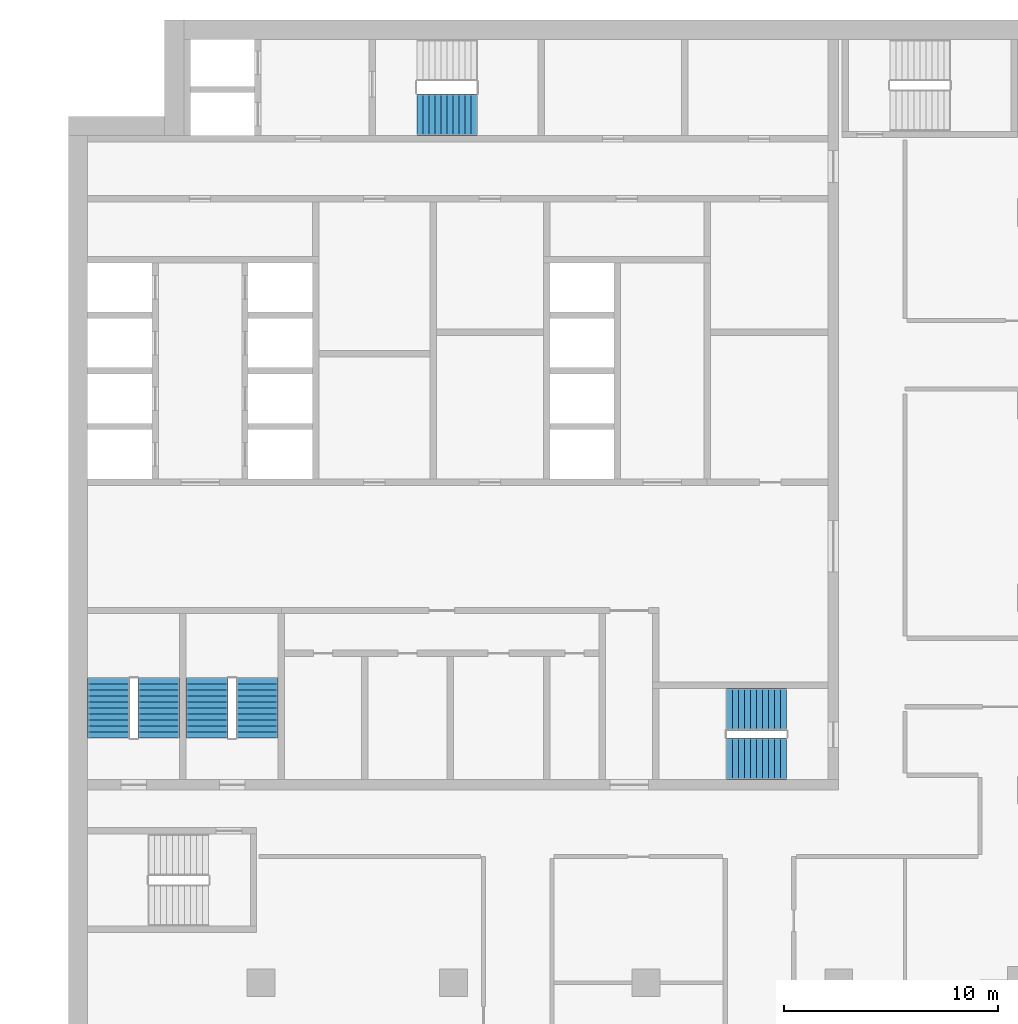
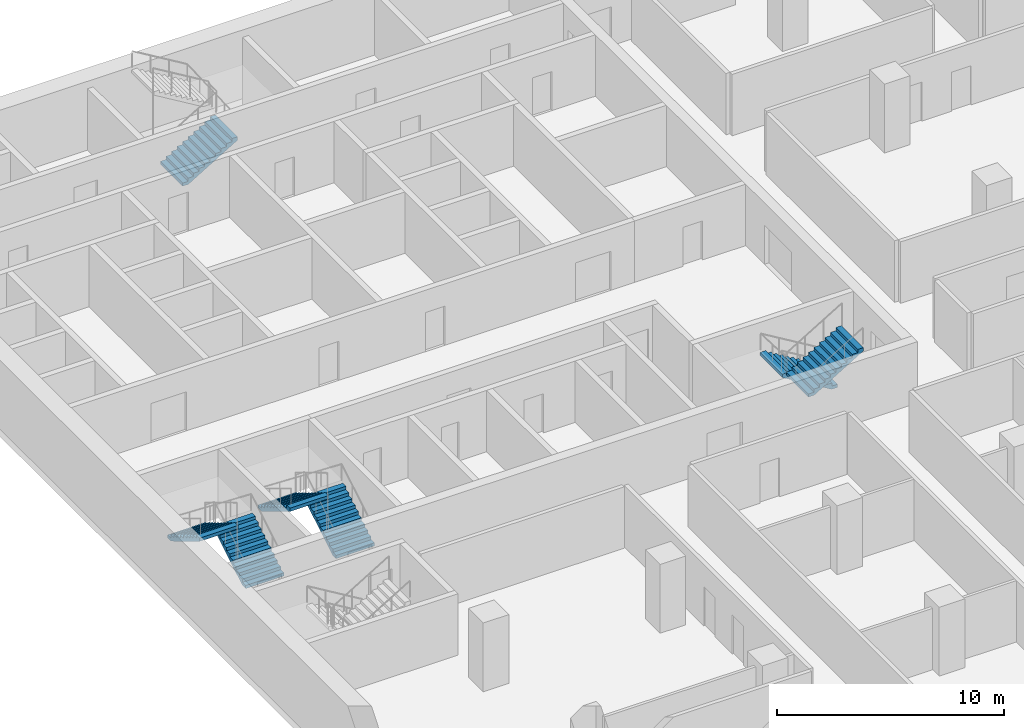
# One storey, part 16 of 22: 7 stair flights, 4 elements without a shape of their own.
"""IFC4 building model written with IfcOpenShell, lengths in metres."""

from ifc_helpers import new_model, si_unit, direction, frame, origin, place, context, subcontext, project, spatial, polyline, outline, extrude, material, type_object, element, aggregate, save


model = new_model("IFC4")

# Units and contexts
model_context = context("Model", 3, precision=1e-05, world=origin(), true_north=direction((0.0, 1.0)))
body_context = subcontext(model_context, "Body", "Model", "MODEL_VIEW")
ifc_project = project(units=[si_unit("LENGTHUNIT", "METRE"), si_unit("AREAUNIT", "SQUARE_METRE"), si_unit("VOLUMEUNIT", "CUBIC_METRE"), si_unit("PLANEANGLEUNIT", "RADIAN"), si_unit("MASSUNIT", "GRAM", prefix="KILO")], contexts=[model_context])

# Site, building, storey
site_placement = place(None, origin())
site = spatial("IfcSite", under=ifc_project, at=site_placement, CompositionType="ELEMENT")
building_placement = place(site_placement, origin())
building = spatial("IfcBuilding", under=site, at=building_placement, Name="Hunhe Ridgeline Campus", CompositionType="ELEMENT")
storey_placement = place(building_placement, frame((0.0, 0.0, 84.800048828125)))
storey = spatial("IfcBuildingStorey", under=building, at=storey_placement, Name="L20", CompositionType="ELEMENT", Elevation=84.800048828125)

# Stair, stair flight
ifc_material = material(Name="Concrete C40", Category="concrete")
stair_type = type_object("IfcStairType", Name="Reinforced concrete dog-leg stair 1950 Concrete C40", PredefinedType="HALF_TURN_STAIR", material=ifc_material)
stair_1_placement = place(storey_placement, origin())
stair_1 = element("IfcStair", 1, at=stair_1_placement, inside=storey, type_object=stair_type, Name="L20 S1", PredefinedType="HALF_TURN_STAIR")
stair_flight_type = type_object("IfcStairFlightType", Name="Reinforced concrete stair flight 1950 Concrete C40", PredefinedType="STRAIGHT", material=ifc_material)
stair_flight_1_placement = place(storey_placement, frame((16.300048828125, 94.574951171875, 0.0), z_axis=(0.0, 0.0, 1.0), x_axis=(1.0, 0.0, 0.0)))
stair_flight_1 = element("IfcStairFlight", 2, at=stair_flight_1_placement, type_object=stair_flight_type, Name="ST1 flight 1", NumberOfRisers=11, NumberOfTreads=10, PredefinedType="STRAIGHT", RiserHeight=0.168181818, TreadLength=0.28, context=body_context, shape_type="SweptSolid", body=[
    extrude(outline(polyline([(0.0, 0.0), (0.0, 0.168212890625), (0.280029296875, 0.168212890625), (0.280029296875, 0.33642578125), (0.56005859375, 0.33642578125), (0.56005859375, 0.504638671875), (0.840087890625, 0.504638671875), (0.840087890625, 0.672607421875), (1.1201171875, 0.672607421875), (1.1201171875, 0.8408203125), (1.39990234375, 0.8408203125), (1.39990234375, 1.009033203125), (1.679931640625, 1.009033203125), (1.679931640625, 1.17724609375), (1.9599609375, 1.17724609375), (1.9599609375, 1.345458984375), (2.239990234375, 1.345458984375), (2.239990234375, 1.513671875), (2.52001953125, 1.513671875), (2.52001953125, 1.681884765625), (2.800048828125, 1.681884765625), (2.800048828125, 1.85009765625), (2.800048828125, 1.5068359375), (0.291015625, 0.0), (0.0, 0.0)])), frame((0.0, 0.97509765625, 0.0), z_axis=(0.0, -1.0, 0.0), x_axis=(1.0, 0.0, 0.0)), (0.0, 0.0, 1.0), 1.949951171875),
    extrude(outline(polyline([(0.030029296875, 0.030029296875), (0.030029296875, 0.13818359375), (0.31005859375, 0.13818359375), (0.31005859375, 0.306396484375), (0.590087890625, 0.306396484375), (0.590087890625, 0.474609375), (0.8701171875, 0.474609375), (0.8701171875, 0.642578125), (1.14990234375, 0.642578125), (1.14990234375, 0.810791015625), (1.429931640625, 0.810791015625), (1.429931640625, 0.97900390625), (1.7099609375, 0.97900390625), (1.7099609375, 1.147216796875), (1.989990234375, 1.147216796875), (1.989990234375, 1.3154296875), (2.27001953125, 1.3154296875), (2.27001953125, 1.483642578125), (2.550048828125, 1.483642578125), (2.550048828125, 1.65185546875), (2.77001953125, 1.65185546875), (2.77001953125, 1.52392578125), (0.28271484375, 0.030029296875), (0.030029296875, 0.030029296875)])), frame((0.0, -0.070068359375, 0.0), z_axis=(0.0, -1.0, 0.0), x_axis=(1.0, 0.0, 0.0)), (0.0, 0.0, 1.0), 0.019775390625),
    extrude(outline(polyline([(0.030029296875, 0.030029296875), (0.030029296875, 0.13818359375), (0.31005859375, 0.13818359375), (0.31005859375, 0.306396484375), (0.590087890625, 0.306396484375), (0.590087890625, 0.474609375), (0.8701171875, 0.474609375), (0.8701171875, 0.642578125), (1.14990234375, 0.642578125), (1.14990234375, 0.810791015625), (1.429931640625, 0.810791015625), (1.429931640625, 0.97900390625), (1.7099609375, 0.97900390625), (1.7099609375, 1.147216796875), (1.989990234375, 1.147216796875), (1.989990234375, 1.3154296875), (2.27001953125, 1.3154296875), (2.27001953125, 1.483642578125), (2.550048828125, 1.483642578125), (2.550048828125, 1.65185546875), (2.77001953125, 1.65185546875), (2.77001953125, 1.52392578125), (0.28271484375, 0.030029296875), (0.030029296875, 0.030029296875)])), frame((0.0, 0.010009765625, 0.0), z_axis=(0.0, -1.0, 0.0), x_axis=(1.0, 0.0, 0.0)), (0.0, 0.0, 1.0), 0.019775390625),
    extrude(outline(polyline([(0.030029296875, 0.030029296875), (0.030029296875, 0.13818359375), (0.31005859375, 0.13818359375), (0.31005859375, 0.306396484375), (0.590087890625, 0.306396484375), (0.590087890625, 0.474609375), (0.8701171875, 0.474609375), (0.8701171875, 0.642578125), (1.14990234375, 0.642578125), (1.14990234375, 0.810791015625), (1.429931640625, 0.810791015625), (1.429931640625, 0.97900390625), (1.7099609375, 0.97900390625), (1.7099609375, 1.147216796875), (1.989990234375, 1.147216796875), (1.989990234375, 1.3154296875), (2.27001953125, 1.3154296875), (2.27001953125, 1.483642578125), (2.550048828125, 1.483642578125), (2.550048828125, 1.65185546875), (2.77001953125, 1.65185546875), (2.77001953125, 1.52392578125), (0.28271484375, 0.030029296875), (0.030029296875, 0.030029296875)])), frame((0.0, 0.090087890625, 0.0), z_axis=(0.0, -1.0, 0.0), x_axis=(1.0, 0.0, 0.0)), (0.0, 0.0, 1.0), 0.019775390625),
])
aggregate(stair_1, [stair_flight_1])

# Stair, stair flights
stair_2_placement = place(storey_placement, origin())
stair_2 = element("IfcStair", 3, at=stair_2_placement, inside=storey, type_object=stair_type, Name="L20 S2", PredefinedType="HALF_TURN_STAIR")
stair_flight_2_placement = place(storey_placement, frame((33.550048828125, 66.77490234375, 0.0), z_axis=(0.0, 0.0, 1.0), x_axis=(-1.0, 0.0, 0.0)))
stair_flight_2 = element("IfcStairFlight", 4, at=stair_flight_2_placement, type_object=stair_flight_type, Name="ST2 flight 1", NumberOfRisers=11, NumberOfTreads=10, PredefinedType="STRAIGHT", RiserHeight=0.168181818, TreadLength=0.28, context=body_context, shape_type="SweptSolid", body=[
    extrude(outline(polyline([(0.0, 0.0), (0.0, 0.168212890625), (0.280029296875, 0.168212890625), (0.280029296875, 0.33642578125), (0.56005859375, 0.33642578125), (0.56005859375, 0.504638671875), (0.840087890625, 0.504638671875), (0.840087890625, 0.672607421875), (1.1201171875, 0.672607421875), (1.1201171875, 0.8408203125), (1.39990234375, 0.8408203125), (1.39990234375, 1.009033203125), (1.679931640625, 1.009033203125), (1.679931640625, 1.17724609375), (1.9599609375, 1.17724609375), (1.9599609375, 1.345458984375), (2.239990234375, 1.345458984375), (2.239990234375, 1.513671875), (2.52001953125, 1.513671875), (2.52001953125, 1.681884765625), (2.800048828125, 1.681884765625), (2.800048828125, 1.85009765625), (2.800048828125, 1.5068359375), (0.291015625, 0.0), (0.0, 0.0)])), frame((0.0, 0.97509765625, 0.0), z_axis=(0.0, -1.0, 0.0), x_axis=(1.0, 0.0, 0.0)), (0.0, 0.0, 1.0), 1.949951171875),
    extrude(outline(polyline([(0.030029296875, 0.030029296875), (0.030029296875, 0.13818359375), (0.31005859375, 0.13818359375), (0.31005859375, 0.306396484375), (0.590087890625, 0.306396484375), (0.590087890625, 0.474609375), (0.8701171875, 0.474609375), (0.8701171875, 0.642578125), (1.14990234375, 0.642578125), (1.14990234375, 0.810791015625), (1.429931640625, 0.810791015625), (1.429931640625, 0.97900390625), (1.7099609375, 0.97900390625), (1.7099609375, 1.147216796875), (1.989990234375, 1.147216796875), (1.989990234375, 1.3154296875), (2.27001953125, 1.3154296875), (2.27001953125, 1.483642578125), (2.550048828125, 1.483642578125), (2.550048828125, 1.65185546875), (2.77001953125, 1.65185546875), (2.77001953125, 1.52392578125), (0.28271484375, 0.030029296875), (0.030029296875, 0.030029296875)])), frame((0.0, -0.070068359375, 0.0), z_axis=(0.0, -1.0, 0.0), x_axis=(1.0, 0.0, 0.0)), (0.0, 0.0, 1.0), 0.019775390625),
    extrude(outline(polyline([(0.030029296875, 0.030029296875), (0.030029296875, 0.13818359375), (0.31005859375, 0.13818359375), (0.31005859375, 0.306396484375), (0.590087890625, 0.306396484375), (0.590087890625, 0.474609375), (0.8701171875, 0.474609375), (0.8701171875, 0.642578125), (1.14990234375, 0.642578125), (1.14990234375, 0.810791015625), (1.429931640625, 0.810791015625), (1.429931640625, 0.97900390625), (1.7099609375, 0.97900390625), (1.7099609375, 1.147216796875), (1.989990234375, 1.147216796875), (1.989990234375, 1.3154296875), (2.27001953125, 1.3154296875), (2.27001953125, 1.483642578125), (2.550048828125, 1.483642578125), (2.550048828125, 1.65185546875), (2.77001953125, 1.65185546875), (2.77001953125, 1.52392578125), (0.28271484375, 0.030029296875), (0.030029296875, 0.030029296875)])), frame((0.0, 0.010009765625, 0.0), z_axis=(0.0, -1.0, 0.0), x_axis=(1.0, 0.0, 0.0)), (0.0, 0.0, 1.0), 0.019775390625),
    extrude(outline(polyline([(0.030029296875, 0.030029296875), (0.030029296875, 0.13818359375), (0.31005859375, 0.13818359375), (0.31005859375, 0.306396484375), (0.590087890625, 0.306396484375), (0.590087890625, 0.474609375), (0.8701171875, 0.474609375), (0.8701171875, 0.642578125), (1.14990234375, 0.642578125), (1.14990234375, 0.810791015625), (1.429931640625, 0.810791015625), (1.429931640625, 0.97900390625), (1.7099609375, 0.97900390625), (1.7099609375, 1.147216796875), (1.989990234375, 1.147216796875), (1.989990234375, 1.3154296875), (2.27001953125, 1.3154296875), (2.27001953125, 1.483642578125), (2.550048828125, 1.483642578125), (2.550048828125, 1.65185546875), (2.77001953125, 1.65185546875), (2.77001953125, 1.52392578125), (0.28271484375, 0.030029296875), (0.030029296875, 0.030029296875)])), frame((0.0, 0.090087890625, 0.0), z_axis=(0.0, -1.0, 0.0), x_axis=(1.0, 0.0, 0.0)), (0.0, 0.0, 1.0), 0.019775390625),
])
stair_flight_3_placement = place(storey_placement, frame((30.75, 64.47509765625, 1.849853515625), z_axis=(0.0, 0.0, 1.0), x_axis=(1.0, 0.0, 0.0)))
stair_flight_3 = element("IfcStairFlight", 5, at=stair_flight_3_placement, type_object=stair_flight_type, Name="ST2 flight 2", NumberOfRisers=11, NumberOfTreads=10, PredefinedType="STRAIGHT", RiserHeight=0.168181818, TreadLength=0.28, context=body_context, shape_type="SweptSolid", body=[
    extrude(outline(polyline([(0.0, 0.0), (0.0, 0.168212890625), (0.280029296875, 0.168212890625), (0.280029296875, 0.33642578125), (0.56005859375, 0.33642578125), (0.56005859375, 0.504638671875), (0.840087890625, 0.504638671875), (0.840087890625, 0.672607421875), (1.1201171875, 0.672607421875), (1.1201171875, 0.8408203125), (1.39990234375, 0.8408203125), (1.39990234375, 1.009033203125), (1.679931640625, 1.009033203125), (1.679931640625, 1.17724609375), (1.9599609375, 1.17724609375), (1.9599609375, 1.345458984375), (2.239990234375, 1.345458984375), (2.239990234375, 1.513671875), (2.52001953125, 1.513671875), (2.52001953125, 1.681884765625), (2.800048828125, 1.681884765625), (2.800048828125, 1.85009765625), (2.800048828125, 1.5068359375), (0.291015625, 0.0), (0.0, 0.0)])), frame((0.0, 0.97509765625, 0.0), z_axis=(0.0, -1.0, 0.0), x_axis=(1.0, 0.0, 0.0)), (0.0, 0.0, 1.0), 1.949951171875),
    extrude(outline(polyline([(0.030029296875, 0.030029296875), (0.030029296875, 0.13818359375), (0.31005859375, 0.13818359375), (0.31005859375, 0.306396484375), (0.590087890625, 0.306396484375), (0.590087890625, 0.474609375), (0.8701171875, 0.474609375), (0.8701171875, 0.642578125), (1.14990234375, 0.642578125), (1.14990234375, 0.810791015625), (1.429931640625, 0.810791015625), (1.429931640625, 0.97900390625), (1.7099609375, 0.97900390625), (1.7099609375, 1.147216796875), (1.989990234375, 1.147216796875), (1.989990234375, 1.3154296875), (2.27001953125, 1.3154296875), (2.27001953125, 1.483642578125), (2.550048828125, 1.483642578125), (2.550048828125, 1.65185546875), (2.77001953125, 1.65185546875), (2.77001953125, 1.52392578125), (0.28271484375, 0.030029296875), (0.030029296875, 0.030029296875)])), frame((0.0, -0.070068359375, 0.0), z_axis=(0.0, -1.0, 0.0), x_axis=(1.0, 0.0, 0.0)), (0.0, 0.0, 1.0), 0.019775390625),
    extrude(outline(polyline([(0.030029296875, 0.030029296875), (0.030029296875, 0.13818359375), (0.31005859375, 0.13818359375), (0.31005859375, 0.306396484375), (0.590087890625, 0.306396484375), (0.590087890625, 0.474609375), (0.8701171875, 0.474609375), (0.8701171875, 0.642578125), (1.14990234375, 0.642578125), (1.14990234375, 0.810791015625), (1.429931640625, 0.810791015625), (1.429931640625, 0.97900390625), (1.7099609375, 0.97900390625), (1.7099609375, 1.147216796875), (1.989990234375, 1.147216796875), (1.989990234375, 1.3154296875), (2.27001953125, 1.3154296875), (2.27001953125, 1.483642578125), (2.550048828125, 1.483642578125), (2.550048828125, 1.65185546875), (2.77001953125, 1.65185546875), (2.77001953125, 1.52392578125), (0.28271484375, 0.030029296875), (0.030029296875, 0.030029296875)])), frame((0.0, 0.010009765625, 0.0), z_axis=(0.0, -1.0, 0.0), x_axis=(1.0, 0.0, 0.0)), (0.0, 0.0, 1.0), 0.019775390625),
    extrude(outline(polyline([(0.030029296875, 0.030029296875), (0.030029296875, 0.13818359375), (0.31005859375, 0.13818359375), (0.31005859375, 0.306396484375), (0.590087890625, 0.306396484375), (0.590087890625, 0.474609375), (0.8701171875, 0.474609375), (0.8701171875, 0.642578125), (1.14990234375, 0.642578125), (1.14990234375, 0.810791015625), (1.429931640625, 0.810791015625), (1.429931640625, 0.97900390625), (1.7099609375, 0.97900390625), (1.7099609375, 1.147216796875), (1.989990234375, 1.147216796875), (1.989990234375, 1.3154296875), (2.27001953125, 1.3154296875), (2.27001953125, 1.483642578125), (2.550048828125, 1.483642578125), (2.550048828125, 1.65185546875), (2.77001953125, 1.65185546875), (2.77001953125, 1.52392578125), (0.28271484375, 0.030029296875), (0.030029296875, 0.030029296875)])), frame((0.0, 0.090087890625, 0.0), z_axis=(0.0, -1.0, 0.0), x_axis=(1.0, 0.0, 0.0)), (0.0, 0.0, 1.0), 0.019775390625),
])
aggregate(stair_2, [stair_flight_2, stair_flight_3])

stair_3_placement = place(storey_placement, origin())
stair_3 = element("IfcStair", 6, at=stair_3_placement, inside=storey, type_object=stair_type, Name="L20 S3", PredefinedType="HALF_TURN_STAIR")
stair_flight_4_placement = place(storey_placement, frame((4.22509765625, 65.449951171875, 0.0), z_axis=(0.0, 0.0, 1.0), x_axis=(0.0, 1.0, 0.0)))
stair_flight_4 = element("IfcStairFlight", 7, at=stair_flight_4_placement, type_object=stair_flight_type, Name="ST3 flight 1", NumberOfRisers=11, NumberOfTreads=10, PredefinedType="STRAIGHT", RiserHeight=0.168181818, TreadLength=0.28, context=body_context, shape_type="SweptSolid", body=[
    extrude(outline(polyline([(0.0, 0.0), (0.0, 0.168212890625), (0.280029296875, 0.168212890625), (0.280029296875, 0.33642578125), (0.56005859375, 0.33642578125), (0.56005859375, 0.504638671875), (0.840087890625, 0.504638671875), (0.840087890625, 0.672607421875), (1.1201171875, 0.672607421875), (1.1201171875, 0.8408203125), (1.39990234375, 0.8408203125), (1.39990234375, 1.009033203125), (1.679931640625, 1.009033203125), (1.679931640625, 1.17724609375), (1.9599609375, 1.17724609375), (1.9599609375, 1.345458984375), (2.239990234375, 1.345458984375), (2.239990234375, 1.513671875), (2.52001953125, 1.513671875), (2.52001953125, 1.681884765625), (2.800048828125, 1.681884765625), (2.800048828125, 1.85009765625), (2.800048828125, 1.5068359375), (0.291015625, 0.0), (0.0, 0.0)])), frame((0.0, 0.97509765625, 0.0), z_axis=(0.0, -1.0, 0.0), x_axis=(1.0, 0.0, 0.0)), (0.0, 0.0, 1.0), 1.949951171875),
    extrude(outline(polyline([(0.030029296875, 0.030029296875), (0.030029296875, 0.13818359375), (0.31005859375, 0.13818359375), (0.31005859375, 0.306396484375), (0.590087890625, 0.306396484375), (0.590087890625, 0.474609375), (0.8701171875, 0.474609375), (0.8701171875, 0.642578125), (1.14990234375, 0.642578125), (1.14990234375, 0.810791015625), (1.429931640625, 0.810791015625), (1.429931640625, 0.97900390625), (1.7099609375, 0.97900390625), (1.7099609375, 1.147216796875), (1.989990234375, 1.147216796875), (1.989990234375, 1.3154296875), (2.27001953125, 1.3154296875), (2.27001953125, 1.483642578125), (2.550048828125, 1.483642578125), (2.550048828125, 1.65185546875), (2.77001953125, 1.65185546875), (2.77001953125, 1.52392578125), (0.28271484375, 0.030029296875), (0.030029296875, 0.030029296875)])), frame((0.0, -0.070068359375, 0.0), z_axis=(0.0, -1.0, 0.0), x_axis=(1.0, 0.0, 0.0)), (0.0, 0.0, 1.0), 0.019775390625),
    extrude(outline(polyline([(0.030029296875, 0.030029296875), (0.030029296875, 0.13818359375), (0.31005859375, 0.13818359375), (0.31005859375, 0.306396484375), (0.590087890625, 0.306396484375), (0.590087890625, 0.474609375), (0.8701171875, 0.474609375), (0.8701171875, 0.642578125), (1.14990234375, 0.642578125), (1.14990234375, 0.810791015625), (1.429931640625, 0.810791015625), (1.429931640625, 0.97900390625), (1.7099609375, 0.97900390625), (1.7099609375, 1.147216796875), (1.989990234375, 1.147216796875), (1.989990234375, 1.3154296875), (2.27001953125, 1.3154296875), (2.27001953125, 1.483642578125), (2.550048828125, 1.483642578125), (2.550048828125, 1.65185546875), (2.77001953125, 1.65185546875), (2.77001953125, 1.52392578125), (0.28271484375, 0.030029296875), (0.030029296875, 0.030029296875)])), frame((0.0, 0.010009765625, 0.0), z_axis=(0.0, -1.0, 0.0), x_axis=(1.0, 0.0, 0.0)), (0.0, 0.0, 1.0), 0.019775390625),
    extrude(outline(polyline([(0.030029296875, 0.030029296875), (0.030029296875, 0.13818359375), (0.31005859375, 0.13818359375), (0.31005859375, 0.306396484375), (0.590087890625, 0.306396484375), (0.590087890625, 0.474609375), (0.8701171875, 0.474609375), (0.8701171875, 0.642578125), (1.14990234375, 0.642578125), (1.14990234375, 0.810791015625), (1.429931640625, 0.810791015625), (1.429931640625, 0.97900390625), (1.7099609375, 0.97900390625), (1.7099609375, 1.147216796875), (1.989990234375, 1.147216796875), (1.989990234375, 1.3154296875), (2.27001953125, 1.3154296875), (2.27001953125, 1.483642578125), (2.550048828125, 1.483642578125), (2.550048828125, 1.65185546875), (2.77001953125, 1.65185546875), (2.77001953125, 1.52392578125), (0.28271484375, 0.030029296875), (0.030029296875, 0.030029296875)])), frame((0.0, 0.090087890625, 0.0), z_axis=(0.0, -1.0, 0.0), x_axis=(1.0, 0.0, 0.0)), (0.0, 0.0, 1.0), 0.019775390625),
])
stair_flight_5_placement = place(storey_placement, frame((1.875, 68.25, 1.849853515625), z_axis=(0.0, 0.0, 1.0), x_axis=(0.0, -1.0, 0.0)))
stair_flight_5 = element("IfcStairFlight", 8, at=stair_flight_5_placement, type_object=stair_flight_type, Name="ST3 flight 2", NumberOfRisers=11, NumberOfTreads=10, PredefinedType="STRAIGHT", RiserHeight=0.168181818, TreadLength=0.28, context=body_context, shape_type="SweptSolid", body=[
    extrude(outline(polyline([(0.0, 0.0), (0.0, 0.168212890625), (0.280029296875, 0.168212890625), (0.280029296875, 0.33642578125), (0.56005859375, 0.33642578125), (0.56005859375, 0.504638671875), (0.840087890625, 0.504638671875), (0.840087890625, 0.672607421875), (1.1201171875, 0.672607421875), (1.1201171875, 0.8408203125), (1.39990234375, 0.8408203125), (1.39990234375, 1.009033203125), (1.679931640625, 1.009033203125), (1.679931640625, 1.17724609375), (1.9599609375, 1.17724609375), (1.9599609375, 1.345458984375), (2.239990234375, 1.345458984375), (2.239990234375, 1.513671875), (2.52001953125, 1.513671875), (2.52001953125, 1.681884765625), (2.800048828125, 1.681884765625), (2.800048828125, 1.85009765625), (2.800048828125, 1.5068359375), (0.291015625, 0.0), (0.0, 0.0)])), frame((0.0, 0.97509765625, 0.0), z_axis=(0.0, -1.0, 0.0), x_axis=(1.0, 0.0, 0.0)), (0.0, 0.0, 1.0), 1.949951171875),
    extrude(outline(polyline([(0.030029296875, 0.030029296875), (0.030029296875, 0.13818359375), (0.31005859375, 0.13818359375), (0.31005859375, 0.306396484375), (0.590087890625, 0.306396484375), (0.590087890625, 0.474609375), (0.8701171875, 0.474609375), (0.8701171875, 0.642578125), (1.14990234375, 0.642578125), (1.14990234375, 0.810791015625), (1.429931640625, 0.810791015625), (1.429931640625, 0.97900390625), (1.7099609375, 0.97900390625), (1.7099609375, 1.147216796875), (1.989990234375, 1.147216796875), (1.989990234375, 1.3154296875), (2.27001953125, 1.3154296875), (2.27001953125, 1.483642578125), (2.550048828125, 1.483642578125), (2.550048828125, 1.65185546875), (2.77001953125, 1.65185546875), (2.77001953125, 1.52392578125), (0.28271484375, 0.030029296875), (0.030029296875, 0.030029296875)])), frame((0.0, -0.070068359375, 0.0), z_axis=(0.0, -1.0, 0.0), x_axis=(1.0, 0.0, 0.0)), (0.0, 0.0, 1.0), 0.019775390625),
    extrude(outline(polyline([(0.030029296875, 0.030029296875), (0.030029296875, 0.13818359375), (0.31005859375, 0.13818359375), (0.31005859375, 0.306396484375), (0.590087890625, 0.306396484375), (0.590087890625, 0.474609375), (0.8701171875, 0.474609375), (0.8701171875, 0.642578125), (1.14990234375, 0.642578125), (1.14990234375, 0.810791015625), (1.429931640625, 0.810791015625), (1.429931640625, 0.97900390625), (1.7099609375, 0.97900390625), (1.7099609375, 1.147216796875), (1.989990234375, 1.147216796875), (1.989990234375, 1.3154296875), (2.27001953125, 1.3154296875), (2.27001953125, 1.483642578125), (2.550048828125, 1.483642578125), (2.550048828125, 1.65185546875), (2.77001953125, 1.65185546875), (2.77001953125, 1.52392578125), (0.28271484375, 0.030029296875), (0.030029296875, 0.030029296875)])), frame((0.0, 0.010009765625, 0.0), z_axis=(0.0, -1.0, 0.0), x_axis=(1.0, 0.0, 0.0)), (0.0, 0.0, 1.0), 0.019775390625),
    extrude(outline(polyline([(0.030029296875, 0.030029296875), (0.030029296875, 0.13818359375), (0.31005859375, 0.13818359375), (0.31005859375, 0.306396484375), (0.590087890625, 0.306396484375), (0.590087890625, 0.474609375), (0.8701171875, 0.474609375), (0.8701171875, 0.642578125), (1.14990234375, 0.642578125), (1.14990234375, 0.810791015625), (1.429931640625, 0.810791015625), (1.429931640625, 0.97900390625), (1.7099609375, 0.97900390625), (1.7099609375, 1.147216796875), (1.989990234375, 1.147216796875), (1.989990234375, 1.3154296875), (2.27001953125, 1.3154296875), (2.27001953125, 1.483642578125), (2.550048828125, 1.483642578125), (2.550048828125, 1.65185546875), (2.77001953125, 1.65185546875), (2.77001953125, 1.52392578125), (0.28271484375, 0.030029296875), (0.030029296875, 0.030029296875)])), frame((0.0, 0.090087890625, 0.0), z_axis=(0.0, -1.0, 0.0), x_axis=(1.0, 0.0, 0.0)), (0.0, 0.0, 1.0), 0.019775390625),
])
aggregate(stair_3, [stair_flight_4, stair_flight_5])

stair_4_placement = place(storey_placement, origin())
stair_4 = element("IfcStair", 9, at=stair_4_placement, inside=storey, type_object=stair_type, Name="L20 S4", PredefinedType="HALF_TURN_STAIR")
stair_flight_6_placement = place(storey_placement, frame((8.824951171875, 65.449951171875, 0.0), z_axis=(0.0, 0.0, 1.0), x_axis=(0.0, 1.0, 0.0)))
stair_flight_6 = element("IfcStairFlight", 10, at=stair_flight_6_placement, type_object=stair_flight_type, Name="ST4 flight 1", NumberOfRisers=11, NumberOfTreads=10, PredefinedType="STRAIGHT", RiserHeight=0.168181818, TreadLength=0.28, context=body_context, shape_type="SweptSolid", body=[
    extrude(outline(polyline([(0.0, 0.0), (0.0, 0.168212890625), (0.280029296875, 0.168212890625), (0.280029296875, 0.33642578125), (0.56005859375, 0.33642578125), (0.56005859375, 0.504638671875), (0.840087890625, 0.504638671875), (0.840087890625, 0.672607421875), (1.1201171875, 0.672607421875), (1.1201171875, 0.8408203125), (1.39990234375, 0.8408203125), (1.39990234375, 1.009033203125), (1.679931640625, 1.009033203125), (1.679931640625, 1.17724609375), (1.9599609375, 1.17724609375), (1.9599609375, 1.345458984375), (2.239990234375, 1.345458984375), (2.239990234375, 1.513671875), (2.52001953125, 1.513671875), (2.52001953125, 1.681884765625), (2.800048828125, 1.681884765625), (2.800048828125, 1.85009765625), (2.800048828125, 1.5068359375), (0.291015625, 0.0), (0.0, 0.0)])), frame((0.0, 0.97509765625, 0.0), z_axis=(0.0, -1.0, 0.0), x_axis=(1.0, 0.0, 0.0)), (0.0, 0.0, 1.0), 1.949951171875),
    extrude(outline(polyline([(0.030029296875, 0.030029296875), (0.030029296875, 0.13818359375), (0.31005859375, 0.13818359375), (0.31005859375, 0.306396484375), (0.590087890625, 0.306396484375), (0.590087890625, 0.474609375), (0.8701171875, 0.474609375), (0.8701171875, 0.642578125), (1.14990234375, 0.642578125), (1.14990234375, 0.810791015625), (1.429931640625, 0.810791015625), (1.429931640625, 0.97900390625), (1.7099609375, 0.97900390625), (1.7099609375, 1.147216796875), (1.989990234375, 1.147216796875), (1.989990234375, 1.3154296875), (2.27001953125, 1.3154296875), (2.27001953125, 1.483642578125), (2.550048828125, 1.483642578125), (2.550048828125, 1.65185546875), (2.77001953125, 1.65185546875), (2.77001953125, 1.52392578125), (0.28271484375, 0.030029296875), (0.030029296875, 0.030029296875)])), frame((0.0, -0.070068359375, 0.0), z_axis=(0.0, -1.0, 0.0), x_axis=(1.0, 0.0, 0.0)), (0.0, 0.0, 1.0), 0.019775390625),
    extrude(outline(polyline([(0.030029296875, 0.030029296875), (0.030029296875, 0.13818359375), (0.31005859375, 0.13818359375), (0.31005859375, 0.306396484375), (0.590087890625, 0.306396484375), (0.590087890625, 0.474609375), (0.8701171875, 0.474609375), (0.8701171875, 0.642578125), (1.14990234375, 0.642578125), (1.14990234375, 0.810791015625), (1.429931640625, 0.810791015625), (1.429931640625, 0.97900390625), (1.7099609375, 0.97900390625), (1.7099609375, 1.147216796875), (1.989990234375, 1.147216796875), (1.989990234375, 1.3154296875), (2.27001953125, 1.3154296875), (2.27001953125, 1.483642578125), (2.550048828125, 1.483642578125), (2.550048828125, 1.65185546875), (2.77001953125, 1.65185546875), (2.77001953125, 1.52392578125), (0.28271484375, 0.030029296875), (0.030029296875, 0.030029296875)])), frame((0.0, 0.010009765625, 0.0), z_axis=(0.0, -1.0, 0.0), x_axis=(1.0, 0.0, 0.0)), (0.0, 0.0, 1.0), 0.019775390625),
    extrude(outline(polyline([(0.030029296875, 0.030029296875), (0.030029296875, 0.13818359375), (0.31005859375, 0.13818359375), (0.31005859375, 0.306396484375), (0.590087890625, 0.306396484375), (0.590087890625, 0.474609375), (0.8701171875, 0.474609375), (0.8701171875, 0.642578125), (1.14990234375, 0.642578125), (1.14990234375, 0.810791015625), (1.429931640625, 0.810791015625), (1.429931640625, 0.97900390625), (1.7099609375, 0.97900390625), (1.7099609375, 1.147216796875), (1.989990234375, 1.147216796875), (1.989990234375, 1.3154296875), (2.27001953125, 1.3154296875), (2.27001953125, 1.483642578125), (2.550048828125, 1.483642578125), (2.550048828125, 1.65185546875), (2.77001953125, 1.65185546875), (2.77001953125, 1.52392578125), (0.28271484375, 0.030029296875), (0.030029296875, 0.030029296875)])), frame((0.0, 0.090087890625, 0.0), z_axis=(0.0, -1.0, 0.0), x_axis=(1.0, 0.0, 0.0)), (0.0, 0.0, 1.0), 0.019775390625),
])
stair_flight_7_placement = place(storey_placement, frame((6.47509765625, 68.25, 1.849853515625), z_axis=(0.0, 0.0, 1.0), x_axis=(0.0, -1.0, 0.0)))
stair_flight_7 = element("IfcStairFlight", 11, at=stair_flight_7_placement, type_object=stair_flight_type, Name="ST4 flight 2", NumberOfRisers=11, NumberOfTreads=10, PredefinedType="STRAIGHT", RiserHeight=0.168181818, TreadLength=0.28, context=body_context, shape_type="SweptSolid", body=[
    extrude(outline(polyline([(0.0, 0.0), (0.0, 0.168212890625), (0.280029296875, 0.168212890625), (0.280029296875, 0.33642578125), (0.56005859375, 0.33642578125), (0.56005859375, 0.504638671875), (0.840087890625, 0.504638671875), (0.840087890625, 0.672607421875), (1.1201171875, 0.672607421875), (1.1201171875, 0.8408203125), (1.39990234375, 0.8408203125), (1.39990234375, 1.009033203125), (1.679931640625, 1.009033203125), (1.679931640625, 1.17724609375), (1.9599609375, 1.17724609375), (1.9599609375, 1.345458984375), (2.239990234375, 1.345458984375), (2.239990234375, 1.513671875), (2.52001953125, 1.513671875), (2.52001953125, 1.681884765625), (2.800048828125, 1.681884765625), (2.800048828125, 1.85009765625), (2.800048828125, 1.5068359375), (0.291015625, 0.0), (0.0, 0.0)])), frame((0.0, 0.97509765625, 0.0), z_axis=(0.0, -1.0, 0.0), x_axis=(1.0, 0.0, 0.0)), (0.0, 0.0, 1.0), 1.949951171875),
    extrude(outline(polyline([(0.030029296875, 0.030029296875), (0.030029296875, 0.13818359375), (0.31005859375, 0.13818359375), (0.31005859375, 0.306396484375), (0.590087890625, 0.306396484375), (0.590087890625, 0.474609375), (0.8701171875, 0.474609375), (0.8701171875, 0.642578125), (1.14990234375, 0.642578125), (1.14990234375, 0.810791015625), (1.429931640625, 0.810791015625), (1.429931640625, 0.97900390625), (1.7099609375, 0.97900390625), (1.7099609375, 1.147216796875), (1.989990234375, 1.147216796875), (1.989990234375, 1.3154296875), (2.27001953125, 1.3154296875), (2.27001953125, 1.483642578125), (2.550048828125, 1.483642578125), (2.550048828125, 1.65185546875), (2.77001953125, 1.65185546875), (2.77001953125, 1.52392578125), (0.28271484375, 0.030029296875), (0.030029296875, 0.030029296875)])), frame((0.0, -0.070068359375, 0.0), z_axis=(0.0, -1.0, 0.0), x_axis=(1.0, 0.0, 0.0)), (0.0, 0.0, 1.0), 0.019775390625),
    extrude(outline(polyline([(0.030029296875, 0.030029296875), (0.030029296875, 0.13818359375), (0.31005859375, 0.13818359375), (0.31005859375, 0.306396484375), (0.590087890625, 0.306396484375), (0.590087890625, 0.474609375), (0.8701171875, 0.474609375), (0.8701171875, 0.642578125), (1.14990234375, 0.642578125), (1.14990234375, 0.810791015625), (1.429931640625, 0.810791015625), (1.429931640625, 0.97900390625), (1.7099609375, 0.97900390625), (1.7099609375, 1.147216796875), (1.989990234375, 1.147216796875), (1.989990234375, 1.3154296875), (2.27001953125, 1.3154296875), (2.27001953125, 1.483642578125), (2.550048828125, 1.483642578125), (2.550048828125, 1.65185546875), (2.77001953125, 1.65185546875), (2.77001953125, 1.52392578125), (0.28271484375, 0.030029296875), (0.030029296875, 0.030029296875)])), frame((0.0, 0.010009765625, 0.0), z_axis=(0.0, -1.0, 0.0), x_axis=(1.0, 0.0, 0.0)), (0.0, 0.0, 1.0), 0.019775390625),
    extrude(outline(polyline([(0.030029296875, 0.030029296875), (0.030029296875, 0.13818359375), (0.31005859375, 0.13818359375), (0.31005859375, 0.306396484375), (0.590087890625, 0.306396484375), (0.590087890625, 0.474609375), (0.8701171875, 0.474609375), (0.8701171875, 0.642578125), (1.14990234375, 0.642578125), (1.14990234375, 0.810791015625), (1.429931640625, 0.810791015625), (1.429931640625, 0.97900390625), (1.7099609375, 0.97900390625), (1.7099609375, 1.147216796875), (1.989990234375, 1.147216796875), (1.989990234375, 1.3154296875), (2.27001953125, 1.3154296875), (2.27001953125, 1.483642578125), (2.550048828125, 1.483642578125), (2.550048828125, 1.65185546875), (2.77001953125, 1.65185546875), (2.77001953125, 1.52392578125), (0.28271484375, 0.030029296875), (0.030029296875, 0.030029296875)])), frame((0.0, 0.090087890625, 0.0), z_axis=(0.0, -1.0, 0.0), x_axis=(1.0, 0.0, 0.0)), (0.0, 0.0, 1.0), 0.019775390625),
])
aggregate(stair_4, [stair_flight_6, stair_flight_7])

save(model, "model.ifc")
